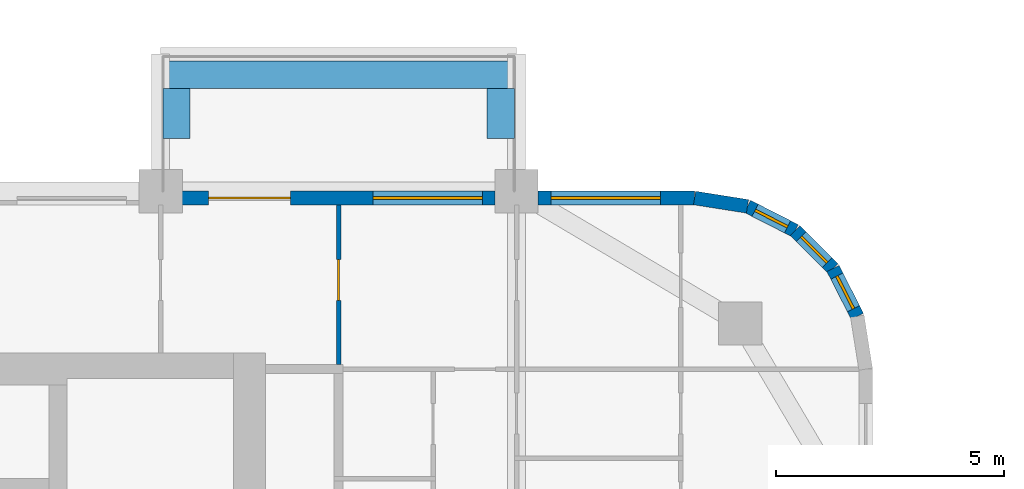
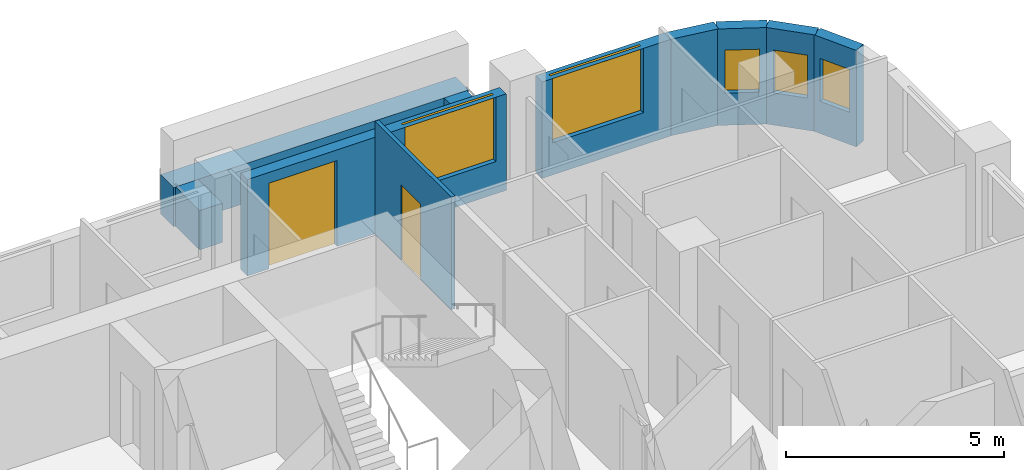
# One storey, part 14 of 18: 10 walls, 5 windows, 2 doors, 7 openings.
"""IFC4 building model written with IfcOpenShell, lengths in metres."""

from ifc_helpers import new_model, si_unit, direction, frame, frame_2d, origin, place, context, subcontext, project, spatial, rectangle, extrude, material, layer, layer_set, type_object, element, fill, save


model = new_model("IFC4")

# Units and contexts
model_context = context("Model", 3, precision=1e-05, world=origin(), true_north=direction((0.0, 1.0)))
body_context = subcontext(model_context, "Body", "Model", "MODEL_VIEW")
ifc_project = project(units=[si_unit("LENGTHUNIT", "METRE"), si_unit("AREAUNIT", "SQUARE_METRE"), si_unit("VOLUMEUNIT", "CUBIC_METRE"), si_unit("PLANEANGLEUNIT", "RADIAN"), si_unit("MASSUNIT", "GRAM", prefix="KILO")], contexts=[model_context])

# Site, building, storey
site_placement = place(None, origin())
site = spatial("IfcSite", under=ifc_project, at=site_placement, CompositionType="ELEMENT")
building_placement = place(site_placement, origin())
building = spatial("IfcBuilding", under=site, at=building_placement, Name="Ludao Terraces", CompositionType="ELEMENT")
storey_placement = place(building_placement, frame((0.0, 0.0, 64.800048828125)))
storey = spatial("IfcBuildingStorey", under=building, at=storey_placement, Name="L17", CompositionType="ELEMENT", Elevation=64.800048828125)

# Walls
ifc_material_1 = material(Name="Concrete C40", Category="concrete")
ifc_layer_1 = layer(ifc_material_1, 0.60009765625)
ifc_layer_set_1 = layer_set([ifc_layer_1], Name="ENV Planter trough 600")
wall_type_1 = type_object("IfcWallType", Name="ENV Planter trough 600", PredefinedType="USERDEFINED", material=ifc_layer_set_1)
wall_1_placement = place(storey_placement, frame((92.800048828125, 90.949951171875, 0.0), z_axis=(0.0, 0.0, 1.0), x_axis=(1.0, 0.0, 0.0)))
element("IfcWall", 1, at=wall_1_placement, inside=storey, type_object=wall_type_1, Name="PL-L17-N4", ObjectType="PLANTER", PredefinedType="USERDEFINED", context=body_context, shape_type="SweptSolid", body=[
    extrude(rectangle(XDim=7.800048828125, YDim=0.60009765625, at=frame_2d((3.89990234375, 0.0))), origin(), (0.0, 0.0, 1.0), 1.099853515625),
])
for number, where, z_axis, x_axis, name in (
    (2, (93.14990234375, 90.64990234375, 0.0), (0.0, 0.0, 1.0), (0.0, -1.0, 0.0), "PL-L17-N4-SA"),
    (3, (100.25, 90.64990234375, 0.0), (0.0, 0.0, 1.0), (0.0, -1.0, 0.0), "PL-L17-N4-SB"),
):
    element("IfcWall", number, at=place(storey_placement, frame(where, z_axis=z_axis, x_axis=x_axis)), inside=storey, type_object=wall_type_1, Name=name, ObjectType="PLANTER", PredefinedType="USERDEFINED", context=body_context, shape_type="SweptSolid", body=[
        extrude(rectangle(XDim=1.099853515625, YDim=0.60009765625, at=frame_2d((0.5498046875, 0.0))), origin(), (0.0, 0.0, 1.0), 1.099853515625),
    ])

# Wall, openings, door, window
ifc_material_2 = material(Name="Granite cladding", Category="masonry")
ifc_layer_2 = layer(ifc_material_2, 0.0400390625, Category="stone")
ifc_material_3 = material(Name="Mineral wool")
ifc_layer_3 = layer(ifc_material_3, 0.06005859375)
ifc_layer_4 = layer(ifc_material_1, 0.199951171875, Category="concrete")
ifc_layer_set_2 = layer_set([ifc_layer_2, ifc_layer_3, ifc_layer_4], Name="ENV Stone-clad wall 300")
wall_type_2 = type_object("IfcWallType", Name="ENV Stone-clad wall 300", PredefinedType="SOLIDWALL", material=ifc_layer_set_2)
wall_2_placement = place(storey_placement, frame((93.27490234375, 88.25, 0.0), z_axis=(0.0, 0.0, 1.0), x_axis=(1.0, 0.0, 0.0)))
wall_2 = element("IfcWall", 4, at=wall_2_placement, inside=storey, type_object=wall_type_2, Name="EW-L17-N5", PredefinedType="SOLIDWALL", context=body_context, shape_type="SweptSolid", body=[
    extrude(rectangle(XDim=6.85009765625, YDim=0.300048828125, at=frame_2d((3.425048828125, 0.0))), origin(), (0.0, 0.0, 1.0), 2.699951171875),
])
opening_1_placement = place(wall_2_placement, frame((0.574951171875, 0.0, 0.0)))
opening_1 = element("IfcOpeningElement", 5, at=opening_1_placement, cuts=wall_2, Name="Opening BD", PredefinedType="OPENING", context=body_context, shape_type="SweptSolid", body=[
    extrude(rectangle(XDim=1.800048828125, YDim=2.39990234375, at=frame_2d((0.89990234375, 1.199951171875))), frame((0.0, 0.16015625, 0.0), z_axis=(0.0, -1.0, 0.0), x_axis=(1.0, 0.0, 0.0)), (0.0, 0.0, 1.0), 0.320068359375),
])
opening_2_placement = place(wall_2_placement, frame((4.175048828125, 0.0, 0.89990234375)))
opening_2 = element("IfcOpeningElement", 6, at=opening_2_placement, cuts=wall_2, Name="Opening W1", PredefinedType="OPENING", context=body_context, shape_type="SweptSolid", body=[
    extrude(rectangle(XDim=2.39990234375, YDim=1.800048828125, at=frame_2d((1.199951171875, 0.89990234375))), frame((0.0, 0.16015625, 0.0), z_axis=(0.0, -1.0, 0.0), x_axis=(1.0, 0.0, 0.0)), (0.0, 0.0, 1.0), 0.320068359375),
])
ifc_material_4 = material(Name="Aluminium glazed door", Category="aluminium")
ifc_layer_5 = layer(ifc_material_4, 0.06005859375)
ifc_layer_set_3 = layer_set([ifc_layer_5], Name="ENV Balcony door BD 1800x2400")
door_type_1 = type_object("IfcDoorType", Name="ENV Balcony door BD 1800x2400", OperationType="DOUBLE_DOOR_SINGLE_SWING", PredefinedType="DOOR", material=ifc_layer_set_3)
door_1_placement = place(opening_1_placement, origin())
door_1 = element("IfcDoor", 7, at=door_1_placement, inside=storey, type_object=door_type_1, Name="BD-L17-N5-1", OperationType="DOUBLE_DOOR_SINGLE_SWING", OverallHeight=2.39990234375, OverallWidth=1.800048828125, PredefinedType="DOOR", context=body_context, shape_type="SweptSolid", body=[
    extrude(rectangle(XDim=1.800048828125, YDim=2.39990234375, at=frame_2d((0.89990234375, 1.199951171875))), frame((0.0, 0.02490234375, 0.0), z_axis=(0.0, -1.0, 0.0), x_axis=(1.0, 0.0, 0.0)), (0.0, 0.0, 1.0), 0.050048828125),
])
fill(opening_1, door_1)
ifc_material_5 = material(Name="Clear glass in aluminium frame", Category="aluminium")
ifc_layer_6 = layer(ifc_material_5, 0.06005859375)
ifc_layer_set_4 = layer_set([ifc_layer_6], Name="ENV Window W1 2400x1800")
window_type_1 = type_object("IfcWindowType", Name="ENV Window W1 2400x1800", PartitioningType="DOUBLE_PANEL_VERTICAL", PredefinedType="WINDOW", material=ifc_layer_set_4)
window_1_placement = place(opening_2_placement, origin())
window_1 = element("IfcWindow", 8, at=window_1_placement, inside=storey, type_object=window_type_1, Name="W-L17-N5-2", OverallHeight=1.800048828125, OverallWidth=2.39990234375, PartitioningType="DOUBLE_PANEL_VERTICAL", PredefinedType="WINDOW", context=body_context, shape_type="SweptSolid", body=[
    extrude(rectangle(XDim=2.39990234375, YDim=1.800048828125, at=frame_2d((1.199951171875, 0.89990234375))), frame((0.0, 0.030029296875, 0.0), z_axis=(0.0, -1.0, 0.0), x_axis=(1.0, 0.0, 0.0)), (0.0, 0.0, 1.0), 0.06005859375),
])
fill(opening_2, window_1)

# Wall, opening, window
wall_3_placement = place(storey_placement, frame((101.074951171875, 88.25, 0.0), z_axis=(0.0, 0.0, 1.0), x_axis=(1.0, 0.0, 0.0)))
wall_3 = element("IfcWall", 9, at=wall_3_placement, inside=storey, type_object=wall_type_2, Name="EW-L17-N6", PredefinedType="SOLIDWALL", context=body_context, shape_type="SweptSolid", body=[
    extrude(rectangle(XDim=3.425048828125, YDim=0.300048828125, at=frame_2d((1.71240234375, 0.0))), origin(), (0.0, 0.0, 1.0), 2.699951171875),
])
opening_3_placement = place(wall_3_placement, frame((0.27490234375, 0.0, 0.89990234375)))
opening_3 = element("IfcOpeningElement", 10, at=opening_3_placement, cuts=wall_3, Name="Opening W1", PredefinedType="OPENING", context=body_context, shape_type="SweptSolid", body=[
    extrude(rectangle(XDim=2.39990234375, YDim=1.800048828125, at=frame_2d((1.199951171875, 0.89990234375))), frame((0.0, 0.16015625, 0.0), z_axis=(0.0, -1.0, 0.0), x_axis=(1.0, 0.0, 0.0)), (0.0, 0.0, 1.0), 0.320068359375),
])
window_2_placement = place(opening_3_placement, origin())
window_2 = element("IfcWindow", 11, at=window_2_placement, inside=storey, type_object=window_type_1, Name="W-L17-N6-1", OverallHeight=1.800048828125, OverallWidth=2.39990234375, PartitioningType="DOUBLE_PANEL_VERTICAL", PredefinedType="WINDOW", context=body_context, shape_type="SweptSolid", body=[
    extrude(rectangle(XDim=2.39990234375, YDim=1.800048828125, at=frame_2d((1.199951171875, 0.89990234375))), frame((0.0, 0.030029296875, 0.0), z_axis=(0.0, -1.0, 0.0), x_axis=(1.0, 0.0, 0.0)), (0.0, 0.0, 1.0), 0.06005859375),
])
fill(opening_3, window_2)

wall_4_placement = place(storey_placement, frame((108.06640625, 85.65869140625, 0.0), z_axis=(0.0, 0.0, 1.0), x_axis=(-0.454025524128, 0.890988677504, 0.0)))
wall_4 = element("IfcWall", 12, at=wall_4_placement, inside=storey, type_object=wall_type_2, Name="EW-L17-NE2", PredefinedType="SOLIDWALL", context=body_context, shape_type="SweptSolid", body=[
    extrude(rectangle(XDim=1.17333984375, YDim=0.300048828125, at=frame_2d((0.586669921875, 0.0))), origin(), (0.0, 0.0, 1.0), 2.699951171875),
])
opening_4_placement = place(wall_4_placement, frame((0.1865234375, 0.0, 0.89990234375)))
opening_4 = element("IfcOpeningElement", 13, at=opening_4_placement, cuts=wall_4, Name="Opening W3", PredefinedType="OPENING", context=body_context, shape_type="SweptSolid", body=[
    extrude(rectangle(XDim=0.800048828125, YDim=1.199951171875, at=frame_2d((0.39990234375, 0.60009765625))), frame((0.0, 0.16015625, 0.0), z_axis=(0.0, -1.0, 0.0), x_axis=(1.0, 0.0, 0.0)), (0.0, 0.0, 1.0), 0.320068359375),
])
ifc_layer_7 = layer(ifc_material_5, 0.06005859375)
ifc_layer_set_5 = layer_set([ifc_layer_7], Name="ENV Window W3 800x1200")
window_type_2 = type_object("IfcWindowType", Name="ENV Window W3 800x1200", PartitioningType="SINGLE_PANEL", PredefinedType="WINDOW", material=ifc_layer_set_5)
window_3_placement = place(opening_4_placement, origin())
window_3 = element("IfcWindow", 14, at=window_3_placement, inside=storey, type_object=window_type_2, Name="W-L17-NE2", OverallHeight=1.199951171875, OverallWidth=0.800048828125, PartitioningType="SINGLE_PANEL", PredefinedType="WINDOW", context=body_context, shape_type="SweptSolid", body=[
    extrude(rectangle(XDim=0.800048828125, YDim=1.199951171875, at=frame_2d((0.39990234375, 0.60009765625))), frame((0.0, 0.030029296875, 0.0), z_axis=(0.0, -1.0, 0.0), x_axis=(1.0, 0.0, 0.0)), (0.0, 0.0, 1.0), 0.06005859375),
])
fill(opening_4, window_3)

wall_5_placement = place(storey_placement, frame((107.53369140625, 86.7041015625, 0.0), z_axis=(0.0, 0.0, 1.0), x_axis=(-0.707106781187, 0.707106781187, 0.0)))
wall_5 = element("IfcWall", 15, at=wall_5_placement, inside=storey, type_object=wall_type_2, Name="EW-L17-NE3", PredefinedType="SOLIDWALL", context=body_context, shape_type="SweptSolid", body=[
    extrude(rectangle(XDim=1.173095703125, YDim=0.300048828125, at=frame_2d((0.58642578125, 0.0))), origin(), (0.0, 0.0, 1.0), 2.699951171875),
])
opening_5_placement = place(wall_5_placement, frame((0.1865234375, 0.0, 0.89990234375)))
opening_5 = element("IfcOpeningElement", 16, at=opening_5_placement, cuts=wall_5, Name="Opening W3", PredefinedType="OPENING", context=body_context, shape_type="SweptSolid", body=[
    extrude(rectangle(XDim=0.800048828125, YDim=1.199951171875, at=frame_2d((0.39990234375, 0.60009765625))), frame((0.0, 0.16015625, 0.0), z_axis=(0.0, -1.0, 0.0), x_axis=(1.0, 0.0, 0.0)), (0.0, 0.0, 1.0), 0.320068359375),
])
window_4_placement = place(opening_5_placement, origin())
window_4 = element("IfcWindow", 17, at=window_4_placement, inside=storey, type_object=window_type_2, Name="W-L17-NE3", OverallHeight=1.199951171875, OverallWidth=0.800048828125, PartitioningType="SINGLE_PANEL", PredefinedType="WINDOW", context=body_context, shape_type="SweptSolid", body=[
    extrude(rectangle(XDim=0.800048828125, YDim=1.199951171875, at=frame_2d((0.39990234375, 0.60009765625))), frame((0.0, 0.030029296875, 0.0), z_axis=(0.0, -1.0, 0.0), x_axis=(1.0, 0.0, 0.0)), (0.0, 0.0, 1.0), 0.06005859375),
])
fill(opening_5, window_4)

wall_6_placement = place(storey_placement, frame((106.7041015625, 87.53369140625, 0.0), z_axis=(0.0, 0.0, 1.0), x_axis=(-0.890988677504, 0.454025524128, 0.0)))
wall_6 = element("IfcWall", 18, at=wall_6_placement, inside=storey, type_object=wall_type_2, Name="EW-L17-NE4", PredefinedType="SOLIDWALL", context=body_context, shape_type="SweptSolid", body=[
    extrude(rectangle(XDim=1.17333984375, YDim=0.300048828125, at=frame_2d((0.586669921875, 0.0))), origin(), (0.0, 0.0, 1.0), 2.699951171875),
])
opening_6_placement = place(wall_6_placement, frame((0.1865234375, 0.0, 0.89990234375)))
opening_6 = element("IfcOpeningElement", 19, at=opening_6_placement, cuts=wall_6, Name="Opening W3", PredefinedType="OPENING", context=body_context, shape_type="SweptSolid", body=[
    extrude(rectangle(XDim=0.800048828125, YDim=1.199951171875, at=frame_2d((0.39990234375, 0.60009765625))), frame((0.0, 0.16015625, 0.0), z_axis=(0.0, -1.0, 0.0), x_axis=(1.0, 0.0, 0.0)), (0.0, 0.0, 1.0), 0.320068359375),
])
window_5_placement = place(opening_6_placement, origin())
window_5 = element("IfcWindow", 20, at=window_5_placement, inside=storey, type_object=window_type_2, Name="W-L17-NE4", OverallHeight=1.199951171875, OverallWidth=0.800048828125, PartitioningType="SINGLE_PANEL", PredefinedType="WINDOW", context=body_context, shape_type="SweptSolid", body=[
    extrude(rectangle(XDim=0.800048828125, YDim=1.199951171875, at=frame_2d((0.39990234375, 0.60009765625))), frame((0.0, 0.030029296875, 0.0), z_axis=(0.0, -1.0, 0.0), x_axis=(1.0, 0.0, 0.0)), (0.0, 0.0, 1.0), 0.06005859375),
])
fill(opening_6, window_5)

# Wall
wall_7_placement = place(storey_placement, frame((105.65869140625, 88.06640625, 0.0), z_axis=(0.0, 0.0, 1.0), x_axis=(-0.987678452879, 0.156496880861, 0.0)))
element("IfcWall", 21, at=wall_7_placement, inside=storey, type_object=wall_type_2, Name="EW-L17-NE5", PredefinedType="SOLIDWALL", context=body_context, shape_type="SweptSolid", body=[
    extrude(rectangle(XDim=1.173095703125, YDim=0.300048828125, at=frame_2d((0.58642578125, 0.0))), origin(), (0.0, 0.0, 1.0), 2.699951171875),
])

# Wall, opening, door
ifc_material_6 = material(Name="Gypsum plasterboard", Category="gypsum")
ifc_layer_8 = layer(ifc_material_6, 0.012451171875, Category="gypsum")
ifc_layer_9 = layer(ifc_material_3, 0.06005859375, Name="insulation")
ifc_material_7 = material(Name="Steel Q235", Category="steel")
ifc_layer_10 = layer(ifc_material_7, 0.014892578125, Name="stud")
ifc_layer_11 = layer(ifc_material_6, 0.012451171875, Category="gypsum")
ifc_layer_set_6 = layer_set([ifc_layer_8, ifc_layer_9, ifc_layer_10, ifc_layer_11], Name="INT Partition 100")
wall_type_3 = type_object("IfcWallType", Name="INT Partition 100", PredefinedType="PARTITIONING", material=ifc_layer_set_6)
wall_8_placement = place(storey_placement, frame((96.699951171875, 84.60009765625, 0.0), z_axis=(0.0, 0.0, 1.0), x_axis=(0.0, 1.0, 0.0)))
wall_8 = element("IfcWall", 22, at=wall_8_placement, inside=storey, type_object=wall_type_3, Name="PW-L17-PW119", PredefinedType="PARTITIONING", context=body_context, shape_type="SweptSolid", body=[
    extrude(rectangle(XDim=3.5, YDim=0.10009765625, at=frame_2d((1.75, 0.0))), origin(), (0.0, 0.0, 1.0), 3.14990234375),
])
opening_7_placement = place(wall_8_placement, frame((1.39990234375, 0.0, 0.0)))
opening_7 = element("IfcOpeningElement", 23, at=opening_7_placement, cuts=wall_8, Name="Opening R05-166", PredefinedType="OPENING", context=body_context, shape_type="SweptSolid", body=[
    extrude(rectangle(XDim=0.89990234375, YDim=2.10009765625, at=frame_2d((0.449951171875, 1.050048828125))), frame((0.0, 0.06005859375, 0.0), z_axis=(0.0, -1.0, 0.0), x_axis=(1.0, 0.0, 0.0)), (0.0, 0.0, 1.0), 0.1201171875),
])
ifc_material_8 = material(Name="Timber door leaf", Category="wood")
door_type_2 = type_object("IfcDoorType", Name="INT Room door 900", OperationType="SINGLE_SWING_LEFT", PredefinedType="DOOR", material=ifc_material_8)
door_2_placement = place(opening_7_placement, origin())
door_2 = element("IfcDoor", 24, at=door_2_placement, inside=storey, type_object=door_type_2, Name="DOOR 166", OperationType="SINGLE_SWING_RIGHT", OverallHeight=2.10009765625, OverallWidth=0.89990234375, PredefinedType="DOOR", context=body_context, shape_type="SweptSolid", body=[
    extrude(rectangle(XDim=0.89990234375, YDim=2.10009765625, at=frame_2d((0.449951171875, 1.050048828125))), frame((0.0, 0.02490234375, 0.0), z_axis=(0.0, -1.0, 0.0), x_axis=(1.0, 0.0, 0.0)), (0.0, 0.0, 1.0), 0.050048828125),
])
fill(opening_7, door_2)

save(model, "model.ifc")
